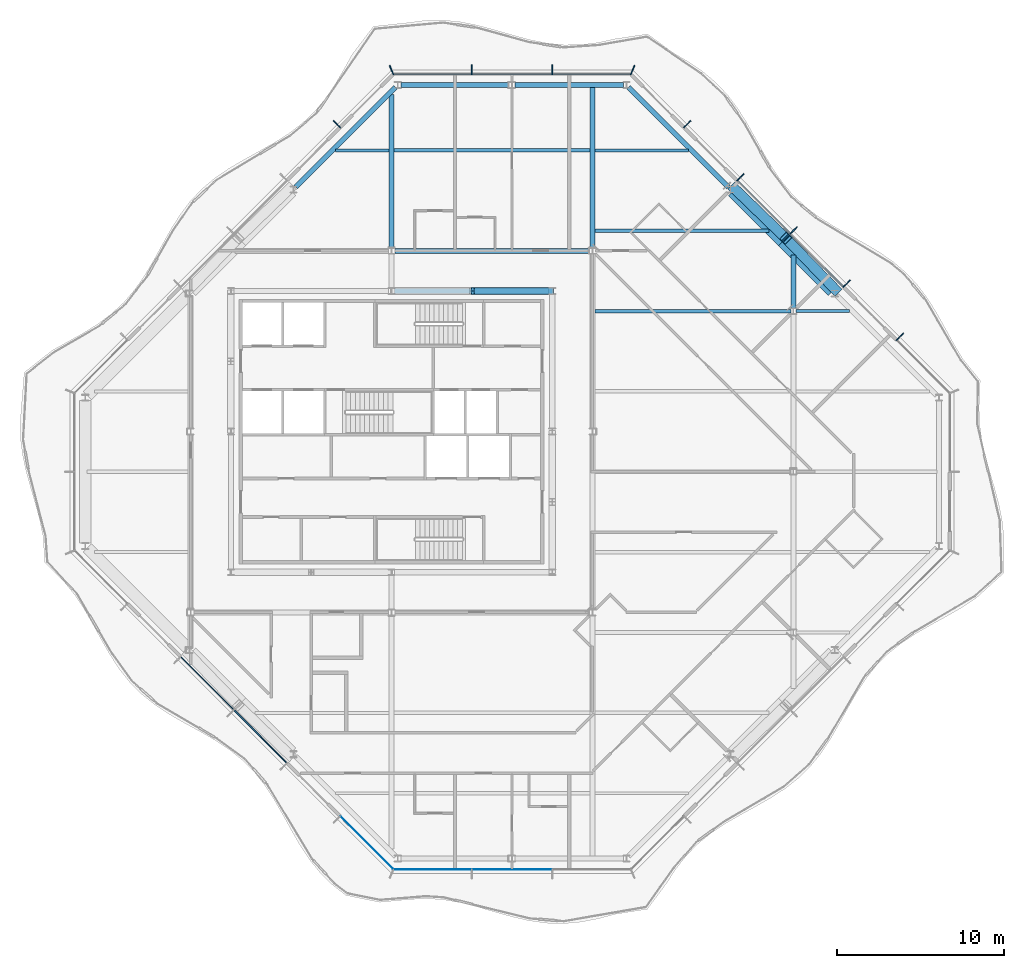
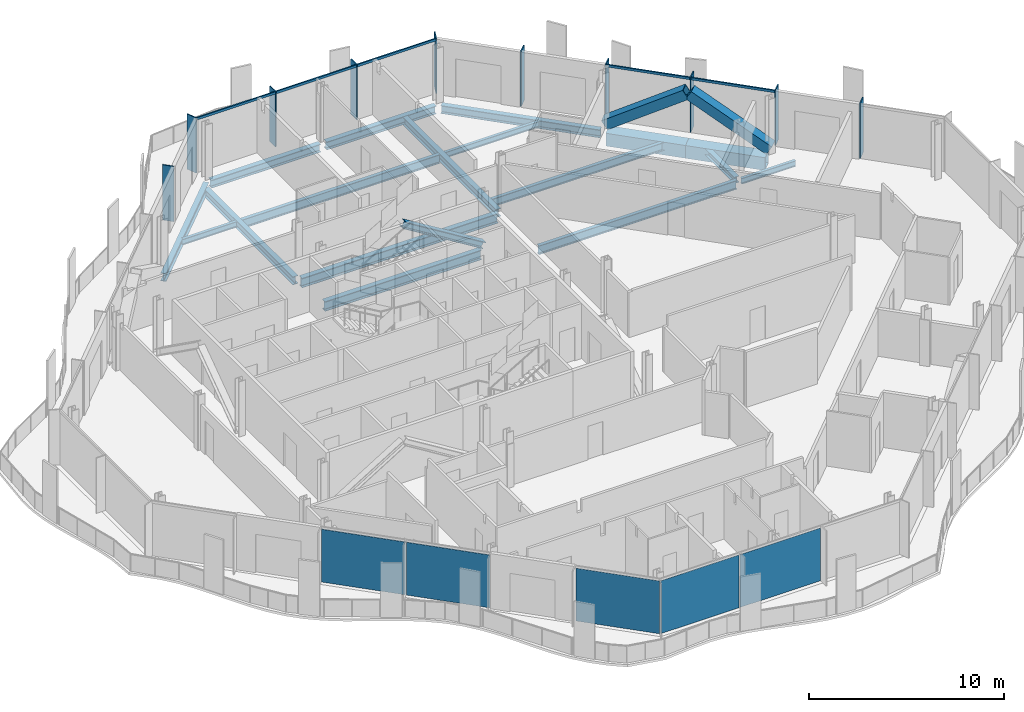
# One storey, part 5 of 17: 18 members, 17 beams, 5 plates, 5 elements without a shape of their own.
"""IFC4 building model written with IfcOpenShell, lengths in metres."""

from ifc_helpers import new_model, si_unit, direction, frame, origin, origin_2d, place, context, subcontext, project, spatial, rectangle, hollow_rectangle, i_section, extrude, material, layer, layer_set, material_profile, profile_set, type_object, element, aggregate, save


model = new_model("IFC4")

# Units and contexts
model_context = context("Model", 3, precision=1e-05, world=origin(), true_north=direction((0.0, 1.0)))
body_context = subcontext(model_context, "Body", "Model", "MODEL_VIEW")
ifc_project = project(units=[si_unit("LENGTHUNIT", "METRE"), si_unit("AREAUNIT", "SQUARE_METRE"), si_unit("VOLUMEUNIT", "CUBIC_METRE"), si_unit("PLANEANGLEUNIT", "RADIAN"), si_unit("MASSUNIT", "GRAM", prefix="KILO")], contexts=[model_context])

# Site, building, storey
site_placement = place(None, origin())
site = spatial("IfcSite", under=ifc_project, at=site_placement, CompositionType="ELEMENT")
building_placement = place(site_placement, origin())
building = spatial("IfcBuilding", under=site, at=building_placement, Name="Cairn Pilgrim Tower", CompositionType="ELEMENT")
storey_placement = place(building_placement, frame((0.0, 0.0, 270.60009765625)))
storey = spatial("IfcBuildingStorey", under=building, at=storey_placement, Name="L69", CompositionType="ELEMENT", Elevation=270.60009765625)

# Members
ifc_material_1 = material(Name="Structural steel S460M", Category="steel")
ifc_material_profile_1 = material_profile(ifc_material_1, hollow_rectangle(XDim=0.60009765625, YDim=0.60009765625, WallThickness=0.034912109375, at=origin_2d()), Name="BOX 600x600x35")
ifc_profile_set_1 = profile_set([ifc_material_profile_1], Name="Structural steel S460M")
member_type_1 = type_object("IfcMemberType", Name="BOX 600x600x35 BRACE", PredefinedType="BRACE", material=ifc_profile_set_1)
member_1_placement = place(storey_placement, frame((33.7919921875, 10.80908203125, 0.14990234375), z_axis=(-0.59249681125, 0.612514905413, 0.523233236048), x_axis=(-0.718754326239, -0.695264135788, 0.0)))
element("IfcMember", 1, at=member_1_placement, inside=storey, type_object=member_type_1, Name="XB-NE2-NE3-1", PredefinedType="BRACE", context=body_context, shape_type="SweptSolid", body=[
    extrude(hollow_rectangle(XDim=0.60009765625, YDim=0.60009765625, WallThickness=0.034912109375, at=origin_2d()), origin(), (0.0, 0.0, 1.0), 5.036865234375),
])
member_2_placement = place(storey_placement, frame((27.609130859375, 16.9921875, 0.14990234375), z_axis=(0.612497315066, -0.592528264357, 0.523218209713), x_axis=(0.695293517132, 0.718725903967, 0.0)))
element("IfcMember", 2, at=member_2_placement, inside=storey, type_object=member_type_1, Name="XB-NE2-NE3-2", PredefinedType="BRACE", context=body_context, shape_type="SweptSolid", body=[
    extrude(hollow_rectangle(XDim=0.60009765625, YDim=0.60009765625, WallThickness=0.034912109375, at=origin_2d()), origin(), (0.0, 0.0, 1.0), 5.037109375),
])

# Beams
ifc_material_2 = material(Name="Structural steel S355J2", Category="steel")
ifc_material_profile_2 = material_profile(ifc_material_2, hollow_rectangle(XDim=0.699951171875, YDim=0.800048828125, WallThickness=0.0400390625, at=origin_2d()), Name="BOX 700x800x40")
ifc_profile_set_2 = profile_set([ifc_material_profile_2], Name="Structural steel S355J2")
beam_type_1 = type_object("IfcBeamType", Name="BOX 700x800x40 RING GIRDER", PredefinedType="SPANDREL", material=ifc_profile_set_2)
for number, where, z_axis, x_axis, name in (
    (3, (33.548828125, 10.7783203125, -0.550048828125), (-0.707077865986, 0.707135695205, 0.0), (-0.707135695205, -0.707077865986, 0.0), "RG4-NE2-NE3-1"),
    (4, (30.563720703125, 13.763671875, -0.550048828125), (-0.707135695205, 0.707077865986, 0.0), (-0.707077865986, -0.707135695205, 0.0), "RG4-NE2-NE3-2"),
):
    element("IfcBeam", number, at=place(storey_placement, frame(where, z_axis=z_axis, x_axis=x_axis)), inside=storey, type_object=beam_type_1, Name=name, PredefinedType="SPANDREL", context=body_context, shape_type="SweptSolid", body=[
        extrude(hollow_rectangle(XDim=0.699951171875, YDim=0.800048828125, WallThickness=0.0400390625, at=origin_2d()), origin(), (0.0, 0.0, 1.0), 4.2216796875),
    ])

# Curtain wall, members
ifc_material_3 = material(Name="Aluminium alloy 6063-T6 bronze anodised with Bronze tinted laminated low-E glass 8+16+8.8", Category="aluminium")
curtain_wall_type = type_object("IfcCurtainWallType", Name="CROWN CURTAIN WALL", PredefinedType="NOTDEFINED", material=ifc_material_3)
curtain_wall_1_placement = place(storey_placement, origin())
curtain_wall_1 = element("IfcCurtainWall", 5, at=curtain_wall_1_placement, inside=storey, type_object=curtain_wall_type, Name="Crown Curtain Wall NE", PredefinedType="NOTDEFINED")
ifc_material_4 = material(Name="Aluminium alloy 6063-T6 bronze anodised", Category="aluminium")
ifc_material_profile_3 = material_profile(ifc_material_4, rectangle(XDim=0.60009765625, YDim=0.06005859375, at=origin_2d()), Name="FIN MULLION 60x600 BRONZE")
ifc_profile_set_3 = profile_set([ifc_material_profile_3], Name="Aluminium alloy 6063-T6 bronze anodised")
member_type_2 = type_object("IfcMemberType", Name="FIN MULLION 60x600 BRONZE", PredefinedType="MULLION", material=ifc_profile_set_3)
member_3_placement = place(storey_placement, frame((37.5654296875, 8.06298828125, 0.0), z_axis=(0.0, 0.0, 1.0), x_axis=(0.707106781187, 0.707106781187, 0.0)))
member_3 = element("IfcMember", 6, at=member_3_placement, type_object=member_type_2, Name="Fin mullion NE2", PredefinedType="MULLION", context=body_context, shape_type="SweptSolid", body=[
    extrude(rectangle(XDim=0.60009765625, YDim=0.06005859375, at=origin_2d()), origin(), (0.0, 0.0, 1.0), 3.449951171875),
])
member_4_placement = place(storey_placement, frame((34.3896484375, 11.238525390625, 0.0), z_axis=(0.0, 0.0, 1.0), x_axis=(0.707106781187, 0.707106781187, 0.0)))
member_4 = element("IfcMember", 7, at=member_4_placement, type_object=member_type_2, Name="Fin mullion NE3", PredefinedType="MULLION", context=body_context, shape_type="SweptSolid", body=[
    extrude(rectangle(XDim=0.60009765625, YDim=0.06005859375, at=origin_2d()), origin(), (0.0, 0.0, 1.0), 3.449951171875),
])
member_5_placement = place(storey_placement, frame((31.214111328125, 14.4140625, 0.0), z_axis=(0.0, 0.0, 1.0), x_axis=(0.707106781187, 0.707106781187, 0.0)))
member_5 = element("IfcMember", 8, at=member_5_placement, type_object=member_type_2, Name="Fin mullion NE4", PredefinedType="MULLION", context=body_context, shape_type="SweptSolid", body=[
    extrude(rectangle(XDim=0.60009765625, YDim=0.06005859375, at=origin_2d()), origin(), (0.0, 0.0, 1.0), 3.449951171875),
])
member_6_placement = place(storey_placement, frame((28.03857421875, 17.58984375, 0.0), z_axis=(0.0, 0.0, 1.0), x_axis=(0.707106781187, 0.707106781187, 0.0)))
member_6 = element("IfcMember", 9, at=member_6_placement, type_object=member_type_2, Name="Fin mullion NE5", PredefinedType="MULLION", context=body_context, shape_type="SweptSolid", body=[
    extrude(rectangle(XDim=0.60009765625, YDim=0.06005859375, at=origin_2d()), origin(), (0.0, 0.0, 1.0), 3.449951171875),
])
member_7_placement = place(storey_placement, frame((24.863037109375, 20.765380859375, 0.0), z_axis=(0.0, 0.0, 1.0), x_axis=(0.707106781187, 0.707106781187, 0.0)))
member_7 = element("IfcMember", 10, at=member_7_placement, type_object=member_type_2, Name="Fin mullion NE6", PredefinedType="MULLION", context=body_context, shape_type="SweptSolid", body=[
    extrude(rectangle(XDim=0.60009765625, YDim=0.06005859375, at=origin_2d()), origin(), (0.0, 0.0, 1.0), 3.449951171875),
])

curtain_wall_2_placement = place(storey_placement, origin())
curtain_wall_2 = element("IfcCurtainWall", 11, at=curtain_wall_2_placement, inside=storey, type_object=curtain_wall_type, Name="Crown Curtain Wall N", PredefinedType="NOTDEFINED")
member_8_placement = place(storey_placement, frame((21.599853515625, 23.99951171875, 0.0), z_axis=(0.0, 0.0, 1.0), x_axis=(0.382683432365, 0.923879532511, 0.0)))
member_8 = element("IfcMember", 12, at=member_8_placement, type_object=member_type_2, Name="Fin mullion N1", PredefinedType="MULLION", context=body_context, shape_type="SweptSolid", body=[
    extrude(rectangle(XDim=0.60009765625, YDim=0.06005859375, at=origin_2d()), origin(), (0.0, 0.0, 1.0), 3.449951171875),
])
member_9_placement = place(storey_placement, frame((16.800048828125, 24.02001953125, 0.0), z_axis=(0.0, 0.0, 1.0), x_axis=(0.0, 1.0, 0.0)))
member_9 = element("IfcMember", 13, at=member_9_placement, type_object=member_type_2, Name="Fin mullion N2", PredefinedType="MULLION", context=body_context, shape_type="SweptSolid", body=[
    extrude(rectangle(XDim=0.60009765625, YDim=0.06005859375, at=origin_2d()), origin(), (0.0, 0.0, 1.0), 3.449951171875),
])
member_10_placement = place(storey_placement, frame((12.0, 24.02001953125, 0.0), z_axis=(0.0, 0.0, 1.0), x_axis=(0.0, 1.0, 0.0)))
member_10 = element("IfcMember", 14, at=member_10_placement, type_object=member_type_2, Name="Fin mullion N3", PredefinedType="MULLION", context=body_context, shape_type="SweptSolid", body=[
    extrude(rectangle(XDim=0.60009765625, YDim=0.06005859375, at=origin_2d()), origin(), (0.0, 0.0, 1.0), 3.449951171875),
])

curtain_wall_3_placement = place(storey_placement, origin())
curtain_wall_3 = element("IfcCurtainWall", 15, at=curtain_wall_3_placement, inside=storey, type_object=curtain_wall_type, Name="Crown Curtain Wall NW", PredefinedType="NOTDEFINED")
member_11_placement = place(storey_placement, frame((7.2001953125, 23.99951171875, 0.0), z_axis=(0.0, 0.0, 1.0), x_axis=(-0.382683432365, 0.923879532511, 0.0)))
member_11 = element("IfcMember", 16, at=member_11_placement, type_object=member_type_2, Name="Fin mullion NW1", PredefinedType="MULLION", context=body_context, shape_type="SweptSolid", body=[
    extrude(rectangle(XDim=0.60009765625, YDim=0.06005859375, at=origin_2d()), origin(), (0.0, 0.0, 1.0), 3.449951171875),
])
member_12_placement = place(storey_placement, frame((3.93701171875, 20.765380859375, 0.0), z_axis=(0.0, 0.0, 1.0), x_axis=(-0.707106781187, 0.707106781187, 0.0)))
member_12 = element("IfcMember", 17, at=member_12_placement, type_object=member_type_2, Name="Fin mullion NW2", PredefinedType="MULLION", context=body_context, shape_type="SweptSolid", body=[
    extrude(rectangle(XDim=0.60009765625, YDim=0.06005859375, at=origin_2d()), origin(), (0.0, 0.0, 1.0), 3.449951171875),
])
aggregate(curtain_wall_3, [member_11, member_12])

# Member
ifc_material_profile_4 = material_profile(ifc_material_2, i_section(OverallWidth=0.39794921875, OverallDepth=0.386962890625, WebThickness=0.02099609375, FlangeThickness=0.033203125, FilletRadius=0.014892578125, at=origin_2d()), Name="HD 400x262")
ifc_profile_set_4 = profile_set([ifc_material_profile_4], Name="Structural steel S355J2")
member_type_3 = type_object("IfcMemberType", Name="HD 400x262 BRACE", PredefinedType="BRACE", material=ifc_profile_set_4)
member_13_placement = place(storey_placement, frame((16.76025390625, 10.800048828125, 0.099853515625), z_axis=(-0.851209328867, 0.0, 0.524826331703), x_axis=(0.0, -1.0, 0.0)))
element("IfcMember", 18, at=member_13_placement, inside=storey, type_object=member_type_3, Name="KB-3A", PredefinedType="BRACE", context=body_context, shape_type="SweptSolid", body=[
    extrude(i_section(OverallWidth=0.39794921875, OverallDepth=0.386962890625, WebThickness=0.02099609375, FlangeThickness=0.033203125, FilletRadius=0.014892578125, at=origin_2d()), origin(), (0.0, 0.0, 1.0), 5.530029296875),
])

# Beams
ifc_material_profile_5 = material_profile(ifc_material_2, i_section(OverallWidth=0.300048828125, OverallDepth=0.39990234375, WebThickness=0.013427734375, FlangeThickness=0.02392578125, FilletRadius=0.027099609375, at=origin_2d()), Name="HEB 400")
ifc_profile_set_5 = profile_set([ifc_material_profile_5], Name="Structural steel S355J2")
beam_type_2 = type_object("IfcBeamType", Name="HEB 400 GIRDER", PredefinedType="BEAM", material=ifc_profile_set_5)
beam_1_placement = place(storey_placement, frame((31.199951171875, 9.797119140625, -0.35009765625), z_axis=(0.0, 1.0, 0.0), x_axis=(-1.0, 0.0, 0.0)))
element("IfcBeam", 19, at=beam_1_placement, inside=storey, type_object=beam_type_2, Name="PG5-4", PredefinedType="BEAM", context=body_context, shape_type="SweptSolid", body=[
    extrude(i_section(OverallWidth=0.300048828125, OverallDepth=0.39990234375, WebThickness=0.013427734375, FlangeThickness=0.02392578125, FilletRadius=0.027099609375, at=origin_2d()), origin(), (0.0, 0.0, 1.0), 3.14794921875),
])
ifc_material_profile_6 = material_profile(ifc_material_2, i_section(OverallWidth=0.300048828125, OverallDepth=0.5, WebThickness=0.014404296875, FlangeThickness=0.028076171875, FilletRadius=0.027099609375, at=origin_2d()), Name="HEB 500")
ifc_profile_set_6 = profile_set([ifc_material_profile_6], Name="Structural steel S355J2")
beam_type_3 = type_object("IfcBeamType", Name="HEB 500 GIRDER", PredefinedType="BEAM", material=ifc_profile_set_6)
beam_2_placement = place(storey_placement, frame((7.199951171875, 13.39697265625, -0.400146484375), z_axis=(0.0, 1.0, 0.0), x_axis=(-1.0, 0.0, 0.0)))
element("IfcBeam", 20, at=beam_2_placement, inside=storey, type_object=beam_type_3, Name="PG3-2", PredefinedType="BEAM", context=body_context, shape_type="SweptSolid", body=[
    extrude(i_section(OverallWidth=0.300048828125, OverallDepth=0.5, WebThickness=0.014404296875, FlangeThickness=0.028076171875, FilletRadius=0.027099609375, at=origin_2d()), origin(), (0.0, 0.0, 1.0), 9.148193359375),
])
beam_3_placement = place(storey_placement, frame((19.199951171875, 13.39697265625, -0.400146484375), z_axis=(0.0, 1.0, 0.0), x_axis=(-1.0, 0.0, 0.0)))
element("IfcBeam", 21, at=beam_3_placement, inside=storey, type_object=beam_type_3, Name="PG4-4", PredefinedType="BEAM", context=body_context, shape_type="SweptSolid", body=[
    extrude(i_section(OverallWidth=0.300048828125, OverallDepth=0.5, WebThickness=0.014404296875, FlangeThickness=0.028076171875, FilletRadius=0.027099609375, at=origin_2d()), origin(), (0.0, 0.0, 1.0), 9.5830078125),
])
ifc_material_profile_7 = material_profile(ifc_material_2, i_section(OverallWidth=0.300048828125, OverallDepth=0.5, WebThickness=0.014404296875, FlangeThickness=0.028076171875, FilletRadius=0.027099609375, at=origin_2d()), Name="HEB 500")
ifc_profile_set_7 = profile_set([ifc_material_profile_7], Name="Structural steel S355J2")
beam_type_4 = type_object("IfcBeamType", Name="HEB 500 RING GIRDER", PredefinedType="SPANDREL", material=ifc_profile_set_7)
beam_4_placement = place(storey_placement, frame((27.324462890625, 17.002685546875, -0.400146484375), z_axis=(-0.707106781187, 0.707106781187, 0.0), x_axis=(-0.707106781187, -0.707106781187, 0.0)))
element("IfcBeam", 22, at=beam_4_placement, inside=storey, type_object=beam_type_4, Name="RG4-NE3-N1", PredefinedType="SPANDREL", context=body_context, shape_type="SweptSolid", body=[
    extrude(i_section(OverallWidth=0.300048828125, OverallDepth=0.5, WebThickness=0.014404296875, FlangeThickness=0.028076171875, FilletRadius=0.027099609375, at=origin_2d()), origin(), (0.0, 0.0, 1.0), 8.443115234375),
])
beam_5_placement = place(storey_placement, frame((21.047607421875, 23.10009765625, -0.400146484375), z_axis=(-1.0, 0.0, 0.0), x_axis=(0.0, -1.0, 0.0)))
element("IfcBeam", 23, at=beam_5_placement, inside=storey, type_object=beam_type_4, Name="RG4-N1-N2", PredefinedType="SPANDREL", context=body_context, shape_type="SweptSolid", body=[
    extrude(i_section(OverallWidth=0.300048828125, OverallDepth=0.5, WebThickness=0.014404296875, FlangeThickness=0.028076171875, FilletRadius=0.027099609375, at=origin_2d()), origin(), (0.0, 0.0, 1.0), 6.468017578125),
])
beam_6_placement = place(storey_placement, frame((14.220458984375, 23.10009765625, -0.400146484375), z_axis=(-1.0, 0.0, 0.0), x_axis=(0.0, -1.0, 0.0)))
element("IfcBeam", 24, at=beam_6_placement, inside=storey, type_object=beam_type_4, Name="RG4-N2-NW1", PredefinedType="SPANDREL", context=body_context, shape_type="SweptSolid", body=[
    extrude(i_section(OverallWidth=0.300048828125, OverallDepth=0.5, WebThickness=0.014404296875, FlangeThickness=0.028076171875, FilletRadius=0.027099609375, at=origin_2d()), origin(), (0.0, 0.0, 1.0), 6.46826171875),
])
beam_7_placement = place(storey_placement, frame((7.44580078125, 22.972900390625, -0.400146484375), z_axis=(-0.707106781187, -0.707106781187, 0.0), x_axis=(0.707106781187, -0.707106781187, 0.0)))
element("IfcBeam", 25, at=beam_7_placement, inside=storey, type_object=beam_type_4, Name="RG4-NW1-NW2", PredefinedType="SPANDREL", context=body_context, shape_type="SweptSolid", body=[
    extrude(i_section(OverallWidth=0.300048828125, OverallDepth=0.5, WebThickness=0.014404296875, FlangeThickness=0.028076171875, FilletRadius=0.027099609375, at=origin_2d()), origin(), (0.0, 0.0, 1.0), 8.443115234375),
])
ifc_material_profile_8 = material_profile(ifc_material_2, i_section(OverallWidth=0.300048828125, OverallDepth=0.60009765625, WebThickness=0.015380859375, FlangeThickness=0.030029296875, FilletRadius=0.027099609375, at=origin_2d()), Name="HEB 600")
ifc_profile_set_8 = profile_set([ifc_material_profile_8], Name="Structural steel S355J2")
beam_type_5 = type_object("IfcBeamType", Name="HEB 600 CORE BEAM", PredefinedType="BEAM", material=ifc_profile_set_8)
beam_8_placement = place(storey_placement, frame((16.620849609375, 10.800048828125, -0.4501953125), z_axis=(-1.0, 0.0, 0.0), x_axis=(0.0, -1.0, 0.0)))
element("IfcBeam", 26, at=beam_8_placement, inside=storey, type_object=beam_type_5, Name="CB-5", PredefinedType="BEAM", context=body_context, shape_type="SweptSolid", body=[
    extrude(i_section(OverallWidth=0.300048828125, OverallDepth=0.60009765625, WebThickness=0.015380859375, FlangeThickness=0.030029296875, FilletRadius=0.027099609375, at=origin_2d()), origin(), (0.0, 0.0, 1.0), 9.24169921875),
])
ifc_material_profile_9 = material_profile(ifc_material_2, i_section(OverallWidth=0.300048828125, OverallDepth=0.60009765625, WebThickness=0.015380859375, FlangeThickness=0.030029296875, FilletRadius=0.027099609375, at=origin_2d()), Name="HEB 600")
ifc_profile_set_9 = profile_set([ifc_material_profile_9], Name="Structural steel S355J2")
beam_type_6 = type_object("IfcBeamType", Name="HEB 600 INNER GIRDER", PredefinedType="BEAM", material=ifc_profile_set_9)
beam_9_placement = place(storey_placement, frame((7.39697265625, 13.199951171875, -0.4501953125), z_axis=(1.0, 0.0, 0.0), x_axis=(0.0, 1.0, 0.0)))
element("IfcBeam", 27, at=beam_9_placement, inside=storey, type_object=beam_type_6, Name="IG2-2", PredefinedType="BEAM", context=body_context, shape_type="SweptSolid", body=[
    extrude(i_section(OverallWidth=0.300048828125, OverallDepth=0.60009765625, WebThickness=0.015380859375, FlangeThickness=0.030029296875, FilletRadius=0.027099609375, at=origin_2d()), origin(), (0.0, 0.0, 1.0), 11.60595703125),
])
ifc_material_profile_10 = material_profile(ifc_material_2, i_section(OverallWidth=0.169921875, OverallDepth=0.360107421875, WebThickness=0.008056640625, FlangeThickness=0.0126953125, FilletRadius=0.01806640625, at=origin_2d()), Name="IPE 360")
ifc_profile_set_10 = profile_set([ifc_material_profile_10], Name="Structural steel S355J2")
beam_type_7 = type_object("IfcBeamType", Name="IPE 360 SECONDARY BEAM", PredefinedType="JOIST", material=ifc_profile_set_10)
for number, where, z_axis, x_axis, name in (
    (28, (31.35009765625, 9.60009765625, -0.330078125), (1.0, 0.0, 0.0), (0.0, 1.0, 0.0), "SB7-2"),
    (29, (3.85498046875, 19.199951171875, -0.330078125), (1.0, 0.0, 0.0), (0.0, 1.0, 0.0), "SB9-1"),
):
    element("IfcBeam", number, at=place(storey_placement, frame(where, z_axis=z_axis, x_axis=x_axis)), inside=storey, type_object=beam_type_7, Name=name, PredefinedType="JOIST", context=body_context, shape_type="SweptSolid", body=[
        extrude(i_section(OverallWidth=0.169921875, OverallDepth=0.360107421875, WebThickness=0.008056640625, FlangeThickness=0.0126953125, FilletRadius=0.01806640625, at=origin_2d()), origin(), (0.0, 0.0, 1.0), 3.195068359375),
    ])
beam_10_placement = place(storey_placement, frame((19.35009765625, 19.199951171875, -0.330078125), z_axis=(1.0, 0.0, 0.0), x_axis=(0.0, 1.0, 0.0)))
element("IfcBeam", 30, at=beam_10_placement, inside=storey, type_object=beam_type_7, Name="SB9-3", PredefinedType="JOIST", context=body_context, shape_type="SweptSolid", body=[
    extrude(i_section(OverallWidth=0.169921875, OverallDepth=0.360107421875, WebThickness=0.008056640625, FlangeThickness=0.0126953125, FilletRadius=0.01806640625, at=origin_2d()), origin(), (0.0, 0.0, 1.0), 5.594970703125),
])
ifc_material_profile_11 = material_profile(ifc_material_2, i_section(OverallWidth=0.199951171875, OverallDepth=0.5, WebThickness=0.01025390625, FlangeThickness=0.01611328125, FilletRadius=0.02099609375, at=origin_2d()), Name="IPE 500")
ifc_profile_set_11 = profile_set([ifc_material_profile_11], Name="Structural steel S355J2")
beam_type_8 = type_object("IfcBeamType", Name="IPE 500 SECONDARY BEAM", PredefinedType="JOIST", material=ifc_profile_set_11)
beam_11_placement = place(storey_placement, frame((19.35009765625, 14.39990234375, -0.400146484375), z_axis=(1.0, 0.0, 0.0), x_axis=(0.0, 1.0, 0.0)))
element("IfcBeam", 31, at=beam_11_placement, inside=storey, type_object=beam_type_8, Name="SB8-1", PredefinedType="JOIST", context=body_context, shape_type="SweptSolid", body=[
    extrude(i_section(OverallWidth=0.199951171875, OverallDepth=0.5, WebThickness=0.01025390625, FlangeThickness=0.01611328125, FilletRadius=0.02099609375, at=origin_2d()), origin(), (0.0, 0.0, 1.0), 10.39501953125),
])
ifc_material_profile_12 = material_profile(ifc_material_2, i_section(OverallWidth=0.2099609375, OverallDepth=0.550048828125, WebThickness=0.010986328125, FlangeThickness=0.01708984375, FilletRadius=0.02392578125, at=origin_2d()), Name="IPE 550")
ifc_profile_set_12 = profile_set([ifc_material_profile_12], Name="Structural steel S355J2")
beam_type_9 = type_object("IfcBeamType", Name="IPE 550 SECONDARY BEAM", PredefinedType="JOIST", material=ifc_profile_set_12)
for number, where, z_axis, x_axis, name in (
    (32, (19.35009765625, 9.60009765625, -0.425048828125), (1.0, 0.0, 0.0), (0.0, 1.0, 0.0), "SB7-1"),
    (33, (7.35009765625, 19.199951171875, -0.425048828125), (1.0, 0.0, 0.0), (0.0, 1.0, 0.0), "SB9-2"),
):
    element("IfcBeam", number, at=place(storey_placement, frame(where, z_axis=z_axis, x_axis=x_axis)), inside=storey, type_object=beam_type_9, Name=name, PredefinedType="JOIST", context=body_context, shape_type="SweptSolid", body=[
        extrude(i_section(OverallWidth=0.2099609375, OverallDepth=0.550048828125, WebThickness=0.010986328125, FlangeThickness=0.01708984375, FilletRadius=0.02392578125, at=origin_2d()), origin(), (0.0, 0.0, 1.0), 11.699951171875),
    ])

# Member
ifc_material_profile_13 = material_profile(ifc_material_4, rectangle(XDim=0.080078125, YDim=0.14990234375, at=origin_2d()), Name="TRANSOM 80x150 BRONZE")
ifc_profile_set_13 = profile_set([ifc_material_profile_13], Name="Aluminium alloy 6063-T6 bronze anodised")
member_type_4 = type_object("IfcMemberType", Name="TRANSOM 80x150 BRONZE", PredefinedType="USERDEFINED", material=ifc_profile_set_13)
member_14_placement = place(storey_placement, frame((34.177490234375, 11.06884765625, 3.375), z_axis=(-0.707106781187, 0.707106781187, 0.0), x_axis=(-0.707106781187, -0.707106781187, 0.0)))
member_14 = element("IfcMember", 34, at=member_14_placement, type_object=member_type_4, Name="Transom NE3", ObjectType="TRANSOM", PredefinedType="USERDEFINED", context=body_context, shape_type="SweptSolid", body=[
    extrude(rectangle(XDim=0.080078125, YDim=0.14990234375, at=origin_2d()), origin(), (0.0, 0.0, 1.0), 4.430908203125),
])

member_15_placement = place(storey_placement, frame((31.001953125, 14.244384765625, 3.375), z_axis=(-0.707079231393, 0.707134329907, 0.0), x_axis=(-0.707134329907, -0.707079231393, 0.0)))
member_15 = element("IfcMember", 35, at=member_15_placement, type_object=member_type_4, Name="Transom NE4", ObjectType="TRANSOM", PredefinedType="USERDEFINED", context=body_context, shape_type="SweptSolid", body=[
    extrude(rectangle(XDim=0.080078125, YDim=0.14990234375, at=origin_2d()), origin(), (0.0, 0.0, 1.0), 4.430908203125),
])

aggregate(curtain_wall_1, [member_3, member_4, member_5, member_6, member_7, member_14, member_15])

member_16_placement = place(storey_placement, frame((21.45654296875, 23.75, 3.375), z_axis=(-1.0, 0.0, 0.0), x_axis=(0.0, -1.0, 0.0)))
member_16 = element("IfcMember", 36, at=member_16_placement, type_object=member_type_4, Name="Transom N1", ObjectType="TRANSOM", PredefinedType="USERDEFINED", context=body_context, shape_type="SweptSolid", body=[
    extrude(rectangle(XDim=0.080078125, YDim=0.14990234375, at=origin_2d()), origin(), (0.0, 0.0, 1.0), 4.62646484375),
])

member_17_placement = place(storey_placement, frame((16.77001953125, 23.75, 3.375), z_axis=(-1.0, 0.0, 0.0), x_axis=(0.0, -1.0, 0.0)))
member_17 = element("IfcMember", 37, at=member_17_placement, type_object=member_type_4, Name="Transom N2", ObjectType="TRANSOM", PredefinedType="USERDEFINED", context=body_context, shape_type="SweptSolid", body=[
    extrude(rectangle(XDim=0.080078125, YDim=0.14990234375, at=origin_2d()), origin(), (0.0, 0.0, 1.0), 4.739990234375),
])

member_18_placement = place(storey_placement, frame((11.969970703125, 23.75, 3.375), z_axis=(-1.0, 0.0, 0.0), x_axis=(0.0, -1.0, 0.0)))
member_18 = element("IfcMember", 38, at=member_18_placement, type_object=member_type_4, Name="Transom N3", ObjectType="TRANSOM", PredefinedType="USERDEFINED", context=body_context, shape_type="SweptSolid", body=[
    extrude(rectangle(XDim=0.080078125, YDim=0.14990234375, at=origin_2d()), origin(), (0.0, 0.0, 1.0), 4.62646484375),
])

aggregate(curtain_wall_2, [member_8, member_9, member_10, member_16, member_17, member_18])

# Curtain wall, plates
curtain_wall_4_placement = place(storey_placement, origin())
curtain_wall_4 = element("IfcCurtainWall", 39, at=curtain_wall_4_placement, inside=storey, type_object=curtain_wall_type, Name="Crown Curtain Wall SW", PredefinedType="NOTDEFINED")
ifc_material_5 = material(Name="Bronze anodised aluminium spandrel panel with mineral wool insulation", Category="aluminium")
ifc_layer_1 = layer(ifc_material_5, 0.06005859375)
ifc_layer_set_1 = layer_set([ifc_layer_1], Name="SPANDREL PANEL 4431x3300")
plate_type_1 = type_object("IfcPlateType", Name="SPANDREL PANEL 4431x3300", PredefinedType="CURTAIN_PANEL", material=ifc_layer_set_1)
plate_1_placement = place(storey_placement, frame((-3.81103515625, -12.635498046875, 0.0), z_axis=(0.0, 0.0, 1.0), x_axis=(0.707106781187, -0.707106781187, 0.0)))
plate_1 = element("IfcPlate", 40, at=plate_1_placement, type_object=plate_type_1, Name="Spandrel Panel SW3-1", PredefinedType="CURTAIN_PANEL", context=body_context, shape_type="SweptSolid", body=[
    extrude(rectangle(XDim=4.430908203125, YDim=0.06005859375, at=origin_2d()), origin(), (0.0, 0.0, 1.0), 3.300048828125),
])
plate_2_placement = place(storey_placement, frame((-0.635498046875, -15.81103515625, 0.0), z_axis=(0.0, 0.0, 1.0), x_axis=(0.707106781187, -0.707106781187, 0.0)))
plate_2 = element("IfcPlate", 41, at=plate_2_placement, type_object=plate_type_1, Name="Spandrel Panel SW4-1", PredefinedType="CURTAIN_PANEL", context=body_context, shape_type="SweptSolid", body=[
    extrude(rectangle(XDim=4.430908203125, YDim=0.06005859375, at=origin_2d()), origin(), (0.0, 0.0, 1.0), 3.300048828125),
])
ifc_material_6 = material(Name="Bronze tinted laminated low-E glass 8+16+8.8", Category="glass")
ifc_layer_2 = layer(ifc_material_6, 0.033935546875)
ifc_layer_set_2 = layer_set([ifc_layer_2], Name="VISION GLAZING 4421x3300")
plate_type_2 = type_object("IfcPlateType", Name="VISION GLAZING 4421x3300", PredefinedType="CURTAIN_PANEL", material=ifc_layer_set_2)
plate_3_placement = place(storey_placement, frame((5.712158203125, -22.15869140625, 0.0), z_axis=(0.0, 0.0, 1.0), x_axis=(0.707106781187, -0.707106781187, 0.0)))
plate_3 = element("IfcPlate", 42, at=plate_3_placement, type_object=plate_type_2, Name="Vision Glazing SW6-1", PredefinedType="CURTAIN_PANEL", context=body_context, shape_type="SweptSolid", body=[
    extrude(rectangle(XDim=4.4208984375, YDim=0.033935546875, at=origin_2d()), origin(), (0.0, 0.0, 1.0), 3.300048828125),
])
aggregate(curtain_wall_4, [plate_1, plate_2, plate_3])

curtain_wall_5_placement = place(storey_placement, origin())
curtain_wall_5 = element("IfcCurtainWall", 43, at=curtain_wall_5_placement, inside=storey, type_object=curtain_wall_type, Name="Crown Curtain Wall S", PredefinedType="NOTDEFINED")
ifc_layer_3 = layer(ifc_material_6, 0.033935546875)
ifc_layer_set_3 = layer_set([ifc_layer_3], Name="VISION GLAZING 4626x3300")
plate_type_3 = type_object("IfcPlateType", Name="VISION GLAZING 4626x3300", PredefinedType="CURTAIN_PANEL", material=ifc_layer_set_3)
plate_4_placement = place(storey_placement, frame((9.65673828125, -23.75, 0.0), z_axis=(0.0, 0.0, 1.0), x_axis=(1.0, 0.0, 0.0)))
plate_4 = element("IfcPlate", 44, at=plate_4_placement, type_object=plate_type_3, Name="Vision Glazing S1-1", PredefinedType="CURTAIN_PANEL", context=body_context, shape_type="SweptSolid", body=[
    extrude(rectangle(XDim=4.62646484375, YDim=0.033935546875, at=origin_2d()), origin(), (0.0, 0.0, 1.0), 3.300048828125),
])
ifc_layer_4 = layer(ifc_material_6, 0.033935546875)
ifc_layer_set_4 = layer_set([ifc_layer_4], Name="VISION GLAZING 4740x3300")
plate_type_4 = type_object("IfcPlateType", Name="VISION GLAZING 4740x3300", PredefinedType="CURTAIN_PANEL", material=ifc_layer_set_4)
plate_5_placement = place(storey_placement, frame((14.39990234375, -23.75, 0.0), z_axis=(0.0, 0.0, 1.0), x_axis=(1.0, 0.0, 0.0)))
plate_5 = element("IfcPlate", 45, at=plate_5_placement, type_object=plate_type_4, Name="Vision Glazing S2-1", PredefinedType="CURTAIN_PANEL", context=body_context, shape_type="SweptSolid", body=[
    extrude(rectangle(XDim=4.739990234375, YDim=0.033935546875, at=origin_2d()), origin(), (0.0, 0.0, 1.0), 3.300048828125),
])
aggregate(curtain_wall_5, [plate_4, plate_5])

save(model, "model.ifc")
